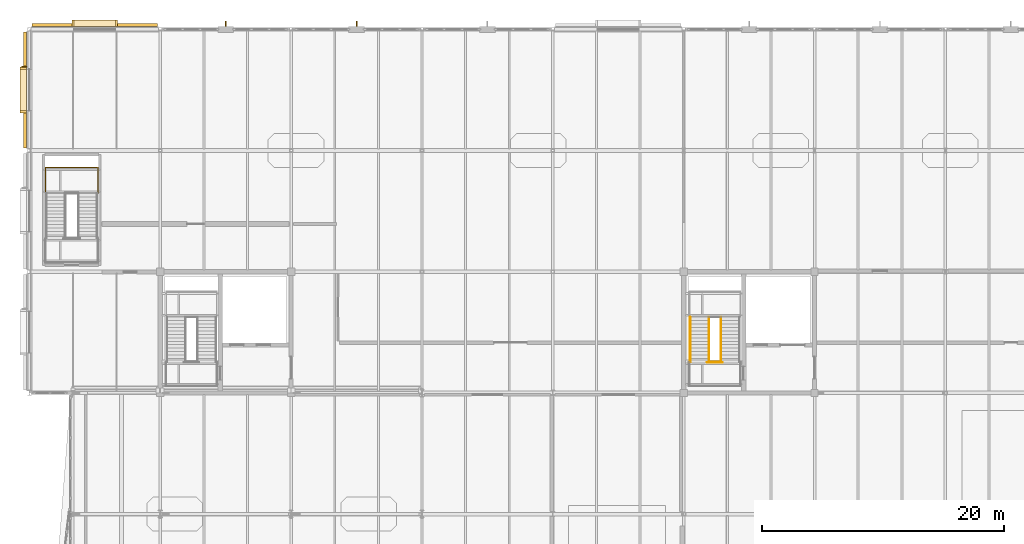
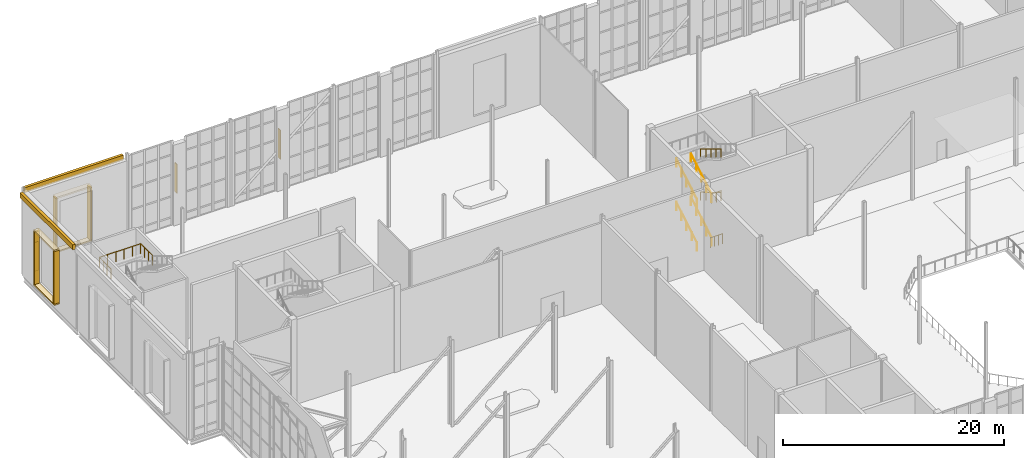
# One storey, part 97 of 100: 10 coverings, 9 railings, 3 shading devices.
"""IFC4 building model written with IfcOpenShell, lengths in metres."""

from ifc_helpers import new_model, si_unit, direction, frame, origin, origin_2d, place, context, subcontext, project, spatial, rectangle, circle, extrude, material, layer, layer_set, type_object, element, save


model = new_model("IFC4")

# Units and contexts
model_context = context("Model", 3, precision=1e-05, world=origin(), true_north=direction((0.0, 1.0)))
body_context = subcontext(model_context, "Body", "Model", "MODEL_VIEW")
ifc_project = project(units=[si_unit("LENGTHUNIT", "METRE"), si_unit("AREAUNIT", "SQUARE_METRE"), si_unit("VOLUMEUNIT", "CUBIC_METRE"), si_unit("PLANEANGLEUNIT", "RADIAN"), si_unit("MASSUNIT", "GRAM", prefix="KILO")], contexts=[model_context])

# Site, building, storey
site_placement = place(None, origin())
site = spatial("IfcSite", under=ifc_project, at=site_placement, CompositionType="ELEMENT")
building_placement = place(site_placement, origin())
building = spatial("IfcBuilding", under=site, at=building_placement, Name="Tasgan Crest Museum", CompositionType="ELEMENT")
storey_placement = place(building_placement, frame((0.0, 0.0, 14.39990234375)))
storey = spatial("IfcBuildingStorey", under=building, at=storey_placement, Name="L03", CompositionType="ELEMENT", Elevation=14.39990234375)

# Coverings
ifc_material_1 = material(Name="Honed Rose-Red Mongolian Granite", Category="masonry")
ifc_layer_1 = layer(ifc_material_1, 0.0400390625, Name="COV-GRANITE-ROSE")
ifc_layer_set_1 = layer_set([ifc_layer_1], Name="Honed Rose-Red Mongolian Granite")
covering_type_1 = type_object("IfcCoveringType", Name="COV-GRANITE-ROSE", PredefinedType="CLADDING", material=ifc_layer_set_1)
for number, where, z_axis, x_axis, name in (
    (1, (7.18994140625, 112.5, 1.10009765625), (0.0, 0.0, 1.0), (-1.0, 0.0, 0.0), "Deep window reveal jamb L03-055"),
    (2, (3.610107421875, 112.5, 1.10009765625), (0.0, 0.0, 1.0), (-1.0, 0.0, 0.0), "Deep window reveal jamb L03-055"),
    (3, (-0.5, 108.7900390625, 1.10009765625), (0.0, 0.0, 1.0), (0.0, -1.0, 0.0), "Deep window reveal jamb L03-056"),
    (4, (-0.5, 105.2099609375, 1.10009765625), (0.0, 0.0, 1.0), (0.0, -1.0, 0.0), "Deep window reveal jamb L03-056"),
):
    element("IfcCovering", number, at=place(storey_placement, frame(where, z_axis=z_axis, x_axis=x_axis)), inside=storey, type_object=covering_type_1, Name=name, PredefinedType="CLADDING", context=body_context, shape_type="SweptSolid", body=[
        extrude(rectangle(XDim=0.179931640625, YDim=0.550048828125, at=origin_2d()), origin(), (0.0, 0.0, 1.0), 5.800048828125),
    ])
ifc_material_2 = material(Name="Honed Buff Limestone", Category="masonry")
ifc_layer_2 = layer(ifc_material_2, 0.044921875, Name="COV-LIMESTONE-BUFF")
ifc_layer_set_2 = layer_set([ifc_layer_2], Name="Honed Buff Limestone")
covering_type_2 = type_object("IfcCoveringType", Name="COV-LIMESTONE-BUFF", PredefinedType="CLADDING", material=ifc_layer_set_2)
covering_1_placement = place(storey_placement, frame((5.39990234375, 112.364990234375, 8.76025390625), z_axis=(0.0, 0.0, 1.0), x_axis=(-1.0, 0.0, 0.0)))
element("IfcCovering", 5, at=covering_1_placement, inside=storey, type_object=covering_type_2, Name="Stone frieze cladding L03", PredefinedType="CLADDING", context=body_context, shape_type="SweptSolid", body=[
    extrude(rectangle(XDim=10.347900390625, YDim=0.280029296875, at=origin_2d()), origin(), (0.0, 0.0, 1.0), 0.550048828125),
])
covering_2_placement = place(storey_placement, frame((5.39990234375, 112.5, 6.89990234375), z_axis=(0.0, 0.0, 1.0), x_axis=(-1.0, 0.0, 0.0)))
element("IfcCovering", 6, at=covering_2_placement, inside=storey, type_object=covering_type_2, Name="Deep window hood L03-055", PredefinedType="CLADDING", context=body_context, shape_type="SweptSolid", body=[
    extrude(rectangle(XDim=3.760009765625, YDim=0.550048828125, at=origin_2d()), origin(), (0.0, 0.0, 1.0), 0.179931640625),
])
covering_3_placement = place(storey_placement, frame((5.39990234375, 112.5, 0.9599609375), z_axis=(0.0, 0.0, 1.0), x_axis=(-1.0, 0.0, 0.0)))
element("IfcCovering", 7, at=covering_3_placement, inside=storey, type_object=covering_type_2, Name="Deep window sill L03-055", PredefinedType="CLADDING", context=body_context, shape_type="SweptSolid", body=[
    extrude(rectangle(XDim=3.760009765625, YDim=0.550048828125, at=origin_2d()), origin(), (0.0, 0.0, 1.0), 0.139892578125),
])
covering_4_placement = place(storey_placement, frame((-0.364990234375, 107.0, 8.76025390625), z_axis=(0.0, 0.0, 1.0), x_axis=(0.0, -1.0, 0.0)))
element("IfcCovering", 8, at=covering_4_placement, inside=storey, type_object=covering_type_2, Name="Stone frieze cladding L03", PredefinedType="CLADDING", context=body_context, shape_type="SweptSolid", body=[
    extrude(rectangle(XDim=9.548095703125, YDim=0.280029296875, at=origin_2d()), origin(), (0.0, 0.0, 1.0), 0.550048828125),
])
covering_5_placement = place(storey_placement, frame((-0.5, 107.0, 6.89990234375), z_axis=(0.0, 0.0, 1.0), x_axis=(0.0, -1.0, 0.0)))
element("IfcCovering", 9, at=covering_5_placement, inside=storey, type_object=covering_type_2, Name="Deep window hood L03-056", PredefinedType="CLADDING", context=body_context, shape_type="SweptSolid", body=[
    extrude(rectangle(XDim=3.760009765625, YDim=0.550048828125, at=origin_2d()), origin(), (0.0, 0.0, 1.0), 0.179931640625),
])
covering_6_placement = place(storey_placement, frame((-0.5, 107.0, 0.9599609375), z_axis=(0.0, 0.0, 1.0), x_axis=(0.0, -1.0, 0.0)))
element("IfcCovering", 10, at=covering_6_placement, inside=storey, type_object=covering_type_2, Name="Deep window sill L03-056", PredefinedType="CLADDING", context=body_context, shape_type="SweptSolid", body=[
    extrude(rectangle(XDim=3.760009765625, YDim=0.550048828125, at=origin_2d()), origin(), (0.0, 0.0, 1.0), 0.139892578125),
])

# Railings
ifc_material_3 = material(Name="Brushed Bronze and Toughened Glass", Category="glass")
railing_type_1 = type_object("IfcRailingType", Name="RL-INT-GUARD-1120", PredefinedType="GUARDRAIL", material=ifc_material_3)
railing_1_placement = place(storey_placement, frame((55.93994140625, 84.52001953125, 0.0)))
element("IfcRailing", 11, at=railing_1_placement, inside=storey, type_object=railing_type_1, Name="North-Central Sawtooth Core floor slot guard L03", PredefinedType="GUARDRAIL", context=body_context, shape_type="SweptSolid", body=[
    extrude(circle(Radius=0.02392578125, at=origin_2d()), frame((0.0, 0.0, 1.09619140625), z_axis=(1.0, 0.0, 0.0), x_axis=(0.0, 1.0, 0.0)), (0.0, 0.0, 1.0), 1.27001953125),
    extrude(circle(Radius=0.02099609375, at=origin_2d()), origin(), (0.0, 0.0, 1.0), 1.072021484375),
    extrude(circle(Radius=0.02099609375, at=origin_2d()), frame((0.42333984375, 0.0, 0.0)), (0.0, 0.0, 1.0), 1.072021484375),
    extrude(circle(Radius=0.02099609375, at=origin_2d()), frame((0.8466796875, 0.0, 0.0)), (0.0, 0.0, 1.0), 1.072021484375),
    extrude(circle(Radius=0.02099609375, at=origin_2d()), frame((1.27001953125, 0.0, 0.0)), (0.0, 0.0, 1.0), 1.072021484375),
])
railing_2_placement = place(storey_placement, frame((56.080078125, 84.530029296875, 4.800048828125)))
element("IfcRailing", 12, at=railing_2_placement, inside=storey, type_object=railing_type_1, Name="Stair intermediate slot guard ST-NC-L03", PredefinedType="GUARDRAIL", context=body_context, shape_type="SweptSolid", body=[
    extrude(circle(Radius=0.02392578125, at=origin_2d()), frame((0.0, 0.0, 1.09619140625), z_axis=(1.0, 0.0, 0.0), x_axis=(0.0, 1.0, 0.0)), (0.0, 0.0, 1.0), 0.989990234375),
    extrude(circle(Radius=0.02099609375, at=origin_2d()), origin(), (0.0, 0.0, 1.0), 1.072021484375),
    extrude(circle(Radius=0.02099609375, at=origin_2d()), frame((0.4951171875, 0.0, 0.0)), (0.0, 0.0, 1.0), 1.072021484375),
    extrude(circle(Radius=0.02099609375, at=origin_2d()), frame((0.989990234375, 0.0, 0.0)), (0.0, 0.0, 1.0), 1.072021484375),
])
railing_3_placement = place(storey_placement, frame((1.340087890625, 98.4951171875, 7.2001953125)))
element("IfcRailing", 13, at=railing_3_placement, inside=storey, type_object=railing_type_1, Name="Stair half-landing perimeter guard ST-GW-L03 T2", PredefinedType="GUARDRAIL", context=body_context, shape_type="SweptSolid", body=[
    extrude(circle(Radius=0.02392578125, at=origin_2d()), frame((0.0, 0.0, 1.09619140625), z_axis=(0.0, 1.0, 0.0), x_axis=(-1.0, 0.0, 0.0)), (0.0, 0.0, 1.0), 2.099853515625),
    extrude(circle(Radius=0.02392578125, at=origin_2d()), frame((0.0, 2.099853515625, 1.09619140625), z_axis=(1.0, 0.0, 0.0), x_axis=(0.0, 1.0, 0.0)), (0.0, 0.0, 1.0), 4.31982421875),
    extrude(circle(Radius=0.02392578125, at=origin_2d()), frame((4.31982421875, 2.099853515625, 1.09619140625), z_axis=(0.0, -1.0, 0.0), x_axis=(1.0, 0.0, 0.0)), (0.0, 0.0, 1.0), 2.099853515625),
    extrude(circle(Radius=0.02099609375, at=origin_2d()), origin(), (0.0, 0.0, 1.0), 1.072021484375),
    extrude(circle(Radius=0.02099609375, at=origin_2d()), frame((0.0, 0.699951171875, 0.0)), (0.0, 0.0, 1.0), 1.072021484375),
    extrude(circle(Radius=0.02099609375, at=origin_2d()), frame((0.0, 1.39990234375, 0.0)), (0.0, 0.0, 1.0), 1.072021484375),
    extrude(circle(Radius=0.02099609375, at=origin_2d()), frame((0.0, 2.099853515625, 0.0)), (0.0, 0.0, 1.0), 1.072021484375),
    extrude(circle(Radius=0.02099609375, at=origin_2d()), frame((0.864013671875, 2.099853515625, 0.0)), (0.0, 0.0, 1.0), 1.072021484375),
    extrude(circle(Radius=0.02099609375, at=origin_2d()), frame((1.72802734375, 2.099853515625, 0.0)), (0.0, 0.0, 1.0), 1.072021484375),
    extrude(circle(Radius=0.02099609375, at=origin_2d()), frame((2.591796875, 2.099853515625, 0.0)), (0.0, 0.0, 1.0), 1.072021484375),
    extrude(circle(Radius=0.02099609375, at=origin_2d()), frame((3.455810546875, 2.099853515625, 0.0)), (0.0, 0.0, 1.0), 1.072021484375),
    extrude(circle(Radius=0.02099609375, at=origin_2d()), frame((4.31982421875, 2.099853515625, 0.0)), (0.0, 0.0, 1.0), 1.072021484375),
    extrude(circle(Radius=0.02099609375, at=origin_2d()), frame((4.31982421875, 1.39990234375, 0.0)), (0.0, 0.0, 1.0), 1.072021484375),
    extrude(circle(Radius=0.02099609375, at=origin_2d()), frame((4.31982421875, 0.699951171875, 0.0)), (0.0, 0.0, 1.0), 1.072021484375),
    extrude(circle(Radius=0.02099609375, at=origin_2d()), frame((4.31982421875, 0.0, 0.0)), (0.0, 0.0, 1.0), 1.072021484375),
])
ifc_material_4 = material(Name="Brushed Stainless Steel", Category="steel")
railing_type_2 = type_object("IfcRailingType", Name="RL-STAIR-HAND-920", PredefinedType="HANDRAIL", material=ifc_material_4)
for number, where, name in (
    (14, (54.5400390625, 84.550048828125, 0.17138671875), "Stair handrail STAIR-CORE-NC-L03-F1 L"),
    (15, (56.080078125, 84.550048828125, 0.17138671875), "Stair handrail STAIR-CORE-NC-L03-F1 R"),
):
    element("IfcRailing", number, at=place(storey_placement, frame(where)), inside=storey, type_object=railing_type_2, Name=name, PredefinedType="HANDRAIL", context=body_context, shape_type="SweptSolid", body=[
        extrude(circle(Radius=0.02392578125, at=origin_2d()), frame((0.0, 0.0, 0.89599609375), z_axis=(0.0, 0.856894455432, 0.515491893485), x_axis=(-1.0, 0.0, 0.0)), (0.0, 0.0, 1.0), 4.323486328125),
        extrude(circle(Radius=0.02099609375, at=origin_2d()), origin(), (0.0, 0.0, 1.0), 0.871826171875),
        extrude(circle(Radius=0.02099609375, at=origin_2d()), frame((0.0, 0.92626953125, 0.55712890625)), (0.0, 0.0, 1.0), 0.871826171875),
        extrude(circle(Radius=0.02099609375, at=origin_2d()), frame((0.0, 1.8525390625, 1.1142578125)), (0.0, 0.0, 1.0), 0.871826171875),
        extrude(circle(Radius=0.02099609375, at=origin_2d()), frame((0.0, 2.778564453125, 1.671630859375)), (0.0, 0.0, 1.0), 0.871826171875),
        extrude(circle(Radius=0.02099609375, at=origin_2d()), frame((0.0, 3.704833984375, 2.228759765625)), (0.0, 0.0, 1.0), 0.871826171875),
    ])
railing_4_placement = place(storey_placement, frame((57.070068359375, 88.2548828125, 2.571533203125)))
element("IfcRailing", 16, at=railing_4_placement, inside=storey, type_object=railing_type_2, Name="Stair handrail STAIR-CORE-NC-L03-F2 R", PredefinedType="HANDRAIL", context=body_context, shape_type="SweptSolid", body=[
    extrude(circle(Radius=0.02392578125, at=origin_2d()), frame((0.0, 0.0, 0.89599609375), z_axis=(0.0, -0.856919398105, 0.515450429384), x_axis=(1.0, 0.0, 0.0)), (0.0, 0.0, 1.0), 4.323486328125),
    extrude(circle(Radius=0.02099609375, at=origin_2d()), origin(), (0.0, 0.0, 1.0), 0.871826171875),
    extrude(circle(Radius=0.02099609375, at=origin_2d()), frame((0.0, -0.92626953125, 0.55712890625)), (0.0, 0.0, 1.0), 0.871826171875),
    extrude(circle(Radius=0.02099609375, at=origin_2d()), frame((0.0, -1.8525390625, 1.1142578125)), (0.0, 0.0, 1.0), 0.871826171875),
    extrude(circle(Radius=0.02099609375, at=origin_2d()), frame((0.0, -2.778564453125, 1.67138671875)), (0.0, 0.0, 1.0), 0.871826171875),
    extrude(circle(Radius=0.02099609375, at=origin_2d()), frame((0.0, -3.704833984375, 2.228515625)), (0.0, 0.0, 1.0), 0.871826171875),
])
for number, where, name in (
    (17, (54.5400390625, 84.550048828125, 4.971435546875), "Stair handrail STAIR-CORE-NC-L03-F3 L"),
    (18, (56.080078125, 84.550048828125, 4.971435546875), "Stair handrail STAIR-CORE-NC-L03-F3 R"),
):
    element("IfcRailing", number, at=place(storey_placement, frame(where)), inside=storey, type_object=railing_type_2, Name=name, PredefinedType="HANDRAIL", context=body_context, shape_type="SweptSolid", body=[
        extrude(circle(Radius=0.02392578125, at=origin_2d()), frame((0.0, 0.0, 0.89599609375), z_axis=(0.0, 0.856894455432, 0.515491893485), x_axis=(-1.0, 0.0, 0.0)), (0.0, 0.0, 1.0), 4.323486328125),
        extrude(circle(Radius=0.02099609375, at=origin_2d()), origin(), (0.0, 0.0, 1.0), 0.871826171875),
        extrude(circle(Radius=0.02099609375, at=origin_2d()), frame((0.0, 0.92626953125, 0.55712890625)), (0.0, 0.0, 1.0), 0.871826171875),
        extrude(circle(Radius=0.02099609375, at=origin_2d()), frame((0.0, 1.8525390625, 1.1142578125)), (0.0, 0.0, 1.0), 0.871826171875),
        extrude(circle(Radius=0.02099609375, at=origin_2d()), frame((0.0, 2.778564453125, 1.671630859375)), (0.0, 0.0, 1.0), 0.871826171875),
        extrude(circle(Radius=0.02099609375, at=origin_2d()), frame((0.0, 3.704833984375, 2.228759765625)), (0.0, 0.0, 1.0), 0.871826171875),
    ])
railing_5_placement = place(storey_placement, frame((57.070068359375, 88.2548828125, 7.37158203125)))
element("IfcRailing", 19, at=railing_5_placement, inside=storey, type_object=railing_type_2, Name="Stair handrail STAIR-CORE-NC-L03-F4 R", PredefinedType="HANDRAIL", context=body_context, shape_type="SweptSolid", body=[
    extrude(circle(Radius=0.02392578125, at=origin_2d()), frame((0.0, 0.0, 0.89599609375), z_axis=(0.0, -0.856919398105, 0.515450429384), x_axis=(1.0, 0.0, 0.0)), (0.0, 0.0, 1.0), 4.323486328125),
    extrude(circle(Radius=0.02099609375, at=origin_2d()), origin(), (0.0, 0.0, 1.0), 0.871826171875),
    extrude(circle(Radius=0.02099609375, at=origin_2d()), frame((0.0, -0.92626953125, 0.55712890625)), (0.0, 0.0, 1.0), 0.871826171875),
    extrude(circle(Radius=0.02099609375, at=origin_2d()), frame((0.0, -1.8525390625, 1.1142578125)), (0.0, 0.0, 1.0), 0.871826171875),
    extrude(circle(Radius=0.02099609375, at=origin_2d()), frame((0.0, -2.778564453125, 1.67138671875)), (0.0, 0.0, 1.0), 0.871826171875),
    extrude(circle(Radius=0.02099609375, at=origin_2d()), frame((0.0, -3.704833984375, 2.228515625)), (0.0, 0.0, 1.0), 0.871826171875),
])

# Shading devices
ifc_material_5 = material(Name="Anodised Bronze Aluminium", Category="aluminium")
shading_device_type = type_object("IfcShadingDeviceType", Name="SH-FIN-V400", PredefinedType="JALOUSIE", material=ifc_material_5)
for number, where, z_axis, x_axis, name in (
    (20, (27.0, 112.449951171875, 3.080078125), (0.0, 0.0, 1.0), (-1.0, 0.0, 0.0), "Facade pier solar fin L03"),
    (21, (16.199951171875, 112.449951171875, 3.080078125), (0.0, 0.0, 1.0), (-1.0, 0.0, 0.0), "Facade pier solar fin L03"),
    (22, (-0.43505859375, 108.919921875, 2.39990234375), (0.0, 0.0, 1.0), (0.0, -1.0, 0.0), "Solar shading fin L03-056"),
):
    element("IfcShadingDevice", number, at=place(storey_placement, frame(where, z_axis=z_axis, x_axis=x_axis)), inside=storey, type_object=shading_device_type, Name=name, PredefinedType="JALOUSIE", context=body_context, shape_type="SweptSolid", body=[
        extrude(rectangle(XDim=0.080078125, YDim=0.419921875, at=origin_2d()), origin(), (0.0, 0.0, 1.0), 3.199951171875),
    ])

save(model, "model.ifc")
